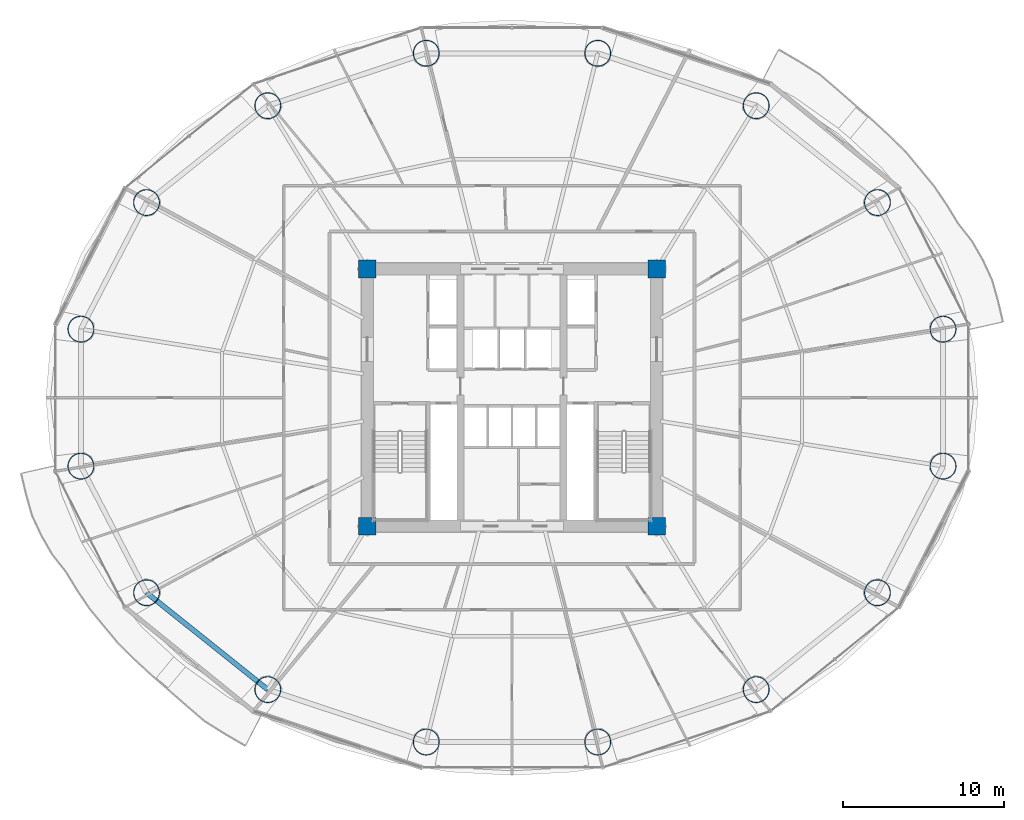
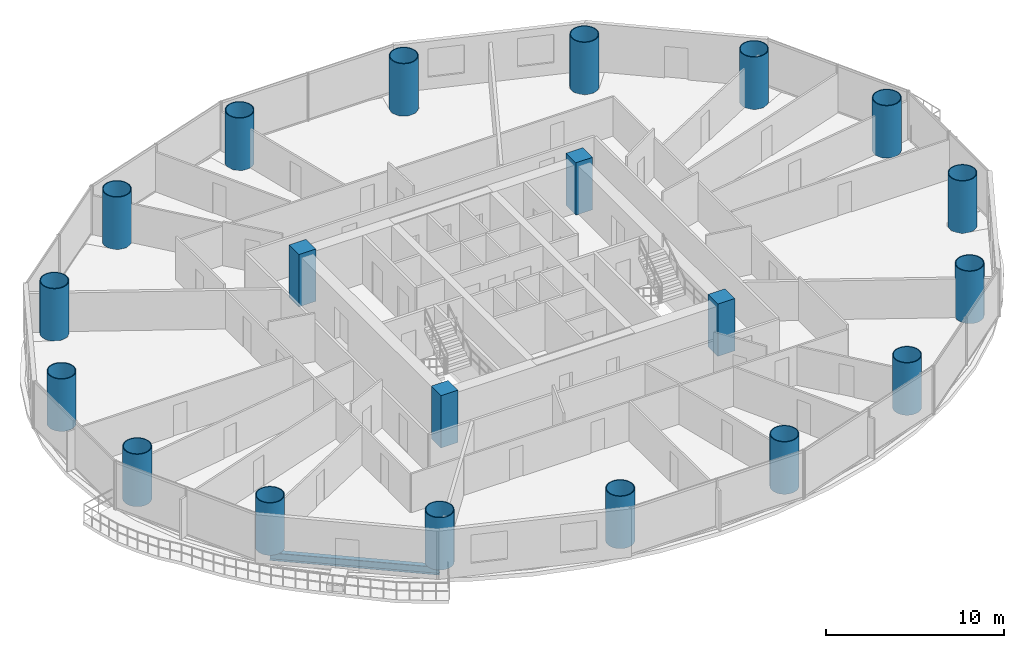
# One storey, part 1 of 29: 20 columns, 1 beam.
"""IFC4 building model written with IfcOpenShell, lengths in metres."""

from ifc_helpers import new_model, si_unit, direction, frame, origin, origin_2d, place, context, subcontext, project, spatial, rectangle, hollow_circle, i_section, extrude, material, material_profile, profile_set, type_object, element, save


model = new_model("IFC4")

# Units and contexts
model_context = context("Model", 3, precision=1e-05, world=origin(), true_north=direction((-0.2419218956, 0.970295726276)))
body_context = subcontext(model_context, "Body", "Model", "MODEL_VIEW")
ifc_project = project(units=[si_unit("LENGTHUNIT", "METRE"), si_unit("AREAUNIT", "SQUARE_METRE"), si_unit("VOLUMEUNIT", "CUBIC_METRE"), si_unit("PLANEANGLEUNIT", "RADIAN"), si_unit("MASSUNIT", "GRAM", prefix="KILO")], contexts=[model_context])

# Site, building, storey
site_placement = place(None, origin())
site = spatial("IfcSite", under=ifc_project, at=site_placement, CompositionType="ELEMENT")
building_placement = place(site_placement, origin())
building = spatial("IfcBuilding", under=site, at=building_placement, Name="Cobrevalo Terracotta Tower", CompositionType="ELEMENT")
storey_placement = place(building_placement, frame((0.0, 0.0, 45.60009765625)))
storey = spatial("IfcBuildingStorey", under=building, at=storey_placement, Name="L11", CompositionType="ELEMENT", Elevation=45.60009765625)

# Columns
ifc_material_1 = material(Name="Steel S355", Category="steel")
ifc_material_profile_1 = material_profile(ifc_material_1, hollow_circle(Radius=0.824951171875, WallThickness=0.050048828125, at=origin_2d()), Name="CHS 1650x50")
ifc_profile_set_1 = profile_set([ifc_material_profile_1], Name="Steel S355")
column_type_1 = type_object("IfcColumnType", Name="Structural Column CHS 1650x50 (Steel S355)", PredefinedType="COLUMN", material=ifc_profile_set_1)
for number, where, z_axis, x_axis, name in (
    (1, (64.824462890625, 31.062744140625, 0.0), (0.0, 0.0, 1.0), (1.0, 0.0, 0.0), "L11 composite megacolumn MC01"),
    (2, (60.74072265625, 38.939208984375, 0.0), (0.0, 0.0, 1.0), (1.0, 0.0, 0.0), "L11 composite megacolumn MC02"),
    (3, (53.19482421875, 44.967529296875, 0.0), (0.0, 0.0, 1.0), (1.0, 0.0, 0.0), "L11 composite megacolumn MC03"),
    (4, (43.335693359375, 48.230224609375, 0.0), (0.0, 0.0, 1.0), (1.0, 0.0, 0.0), "L11 composite megacolumn MC04"),
    (5, (32.664306640625, 48.230224609375, 0.0), (0.0, 0.0, 1.0), (1.0, 0.0, 0.0), "L11 composite megacolumn MC05"),
    (6, (22.80517578125, 44.967529296875, 0.0), (0.0, 0.0, 1.0), (1.0, 0.0, 0.0), "L11 composite megacolumn MC06"),
    (7, (15.25927734375, 38.939208984375, 0.0), (0.0, 0.0, 1.0), (1.0, 0.0, 0.0), "L11 composite megacolumn MC07"),
    (8, (11.175537109375, 31.062744140625, 0.0), (0.0, 0.0, 1.0), (1.0, 0.0, 0.0), "L11 composite megacolumn MC08"),
    (9, (11.175537109375, 22.537353515625, 0.0), (0.0, 0.0, 1.0), (1.0, 0.0, 0.0), "L11 composite megacolumn MC09"),
    (10, (15.25927734375, 14.660888671875, 0.0), (0.0, 0.0, 1.0), (1.0, 0.0, 0.0), "L11 composite megacolumn MC10"),
    (11, (22.80517578125, 8.63232421875, 0.0), (0.0, 0.0, 1.0), (1.0, 0.0, 0.0), "L11 composite megacolumn MC11"),
    (12, (32.664306640625, 5.369873046875, 0.0), (0.0, 0.0, 1.0), (1.0, 0.0, 0.0), "L11 composite megacolumn MC12"),
    (13, (43.335693359375, 5.369873046875, 0.0), (0.0, 0.0, 1.0), (1.0, 0.0, 0.0), "L11 composite megacolumn MC13"),
    (14, (53.19482421875, 8.63232421875, 0.0), (0.0, 0.0, 1.0), (1.0, 0.0, 0.0), "L11 composite megacolumn MC14"),
    (15, (60.74072265625, 14.660888671875, 0.0), (0.0, 0.0, 1.0), (1.0, 0.0, 0.0), "L11 composite megacolumn MC15"),
    (16, (64.824462890625, 22.537353515625, 0.0), (0.0, 0.0, 1.0), (1.0, 0.0, 0.0), "L11 composite megacolumn MC16"),
):
    element("IfcColumn", number, at=place(storey_placement, frame(where, z_axis=z_axis, x_axis=x_axis)), inside=storey, type_object=column_type_1, Name=name, PredefinedType="COLUMN", context=body_context, shape_type="SweptSolid", body=[
        extrude(hollow_circle(Radius=0.824951171875, WallThickness=0.050048828125, at=origin_2d()), origin(), (0.0, 0.0, 1.0), 3.599853515625),
    ])
ifc_material_2 = material(Name="Concrete C60", Category="concrete")
ifc_material_profile_2 = material_profile(ifc_material_2, rectangle(XDim=1.10009765625, YDim=1.10009765625, at=origin_2d()), Name="RC COL 1100x1100")
ifc_profile_set_2 = profile_set([ifc_material_profile_2], Name="Concrete C60")
column_type_2 = type_object("IfcColumnType", Name="Structural Column RC COL 1100x1100 (Concrete C60)", PredefinedType="COLUMN", material=ifc_profile_set_2)
for number, where, z_axis, x_axis, name in (
    (17, (29.0, 18.800048828125, 0.0), (0.0, 0.0, 1.0), (1.0, 0.0, 0.0), "L11 core corner column CC1"),
    (18, (47.0, 18.800048828125, 0.0), (0.0, 0.0, 1.0), (1.0, 0.0, 0.0), "L11 core corner column CC2"),
    (19, (47.0, 34.800048828125, 0.0), (0.0, 0.0, 1.0), (1.0, 0.0, 0.0), "L11 core corner column CC3"),
    (20, (29.0, 34.800048828125, 0.0), (0.0, 0.0, 1.0), (1.0, 0.0, 0.0), "L11 core corner column CC4"),
):
    element("IfcColumn", number, at=place(storey_placement, frame(where, z_axis=z_axis, x_axis=x_axis)), inside=storey, type_object=column_type_2, Name=name, PredefinedType="COLUMN", context=body_context, shape_type="SweptSolid", body=[
        extrude(rectangle(XDim=1.10009765625, YDim=1.10009765625, at=origin_2d()), origin(), (0.0, 0.0, 1.0), 3.599853515625),
    ])

# Beam
ifc_material_profile_3 = material_profile(ifc_material_1, i_section(OverallWidth=0.31201171875, OverallDepth=0.54296875, WebThickness=0.0126953125, FlangeThickness=0.020263671875, at=origin_2d()), Name="W 530x150")
ifc_profile_set_3 = profile_set([ifc_material_profile_3], Name="Steel S355")
beam_type = type_object("IfcBeamType", Name="Structural Spandrel W 530x150 (Steel S355)", PredefinedType="SPANDREL", material=ifc_profile_set_3)
beam_placement = place(storey_placement, frame((15.25927734375, 14.660888671875, -0.551513671875), z_axis=(0.781280479891, -0.62418011162, 0.0), x_axis=(0.62418011162, 0.781280479891, 0.0)))
element("IfcBeam", 21, at=beam_placement, inside=storey, type_object=beam_type, Name="L11 perimeter ring spandrel 10", PredefinedType="SPANDREL", context=body_context, shape_type="SweptSolid", body=[
    extrude(i_section(OverallWidth=0.31201171875, OverallDepth=0.54296875, WebThickness=0.0126953125, FlangeThickness=0.020263671875, at=origin_2d()), origin(), (0.0, 0.0, 1.0), 9.658447265625),
])

save(model, "model.ifc")
